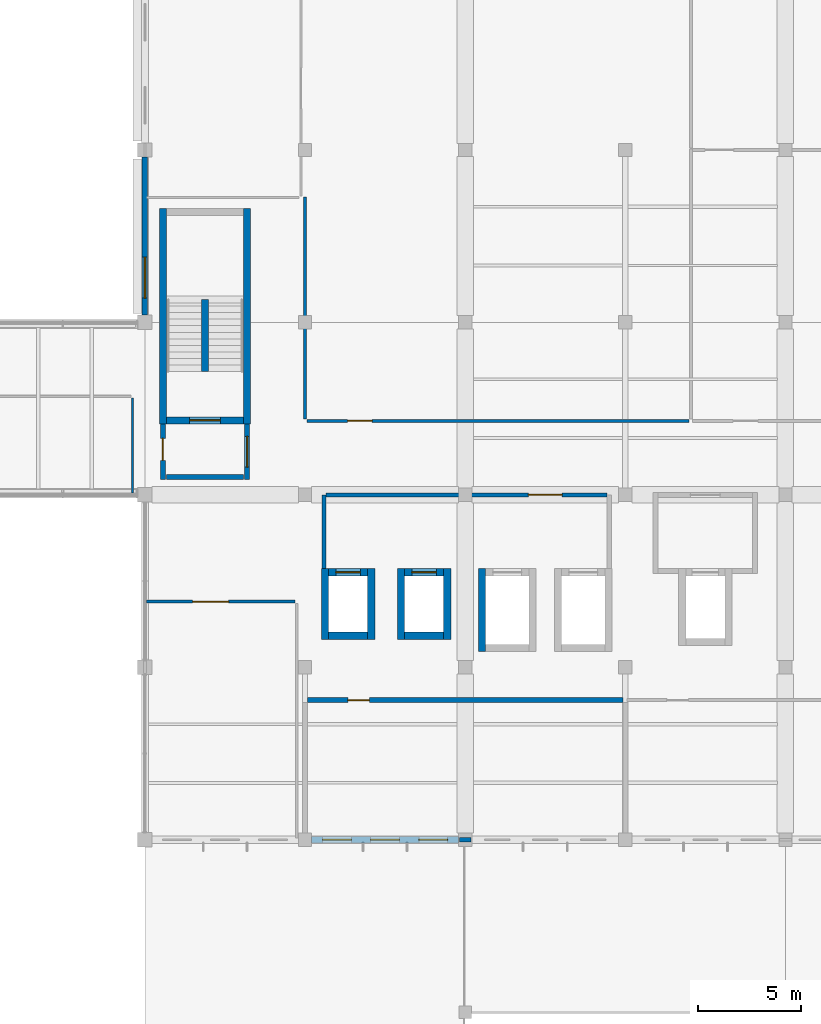
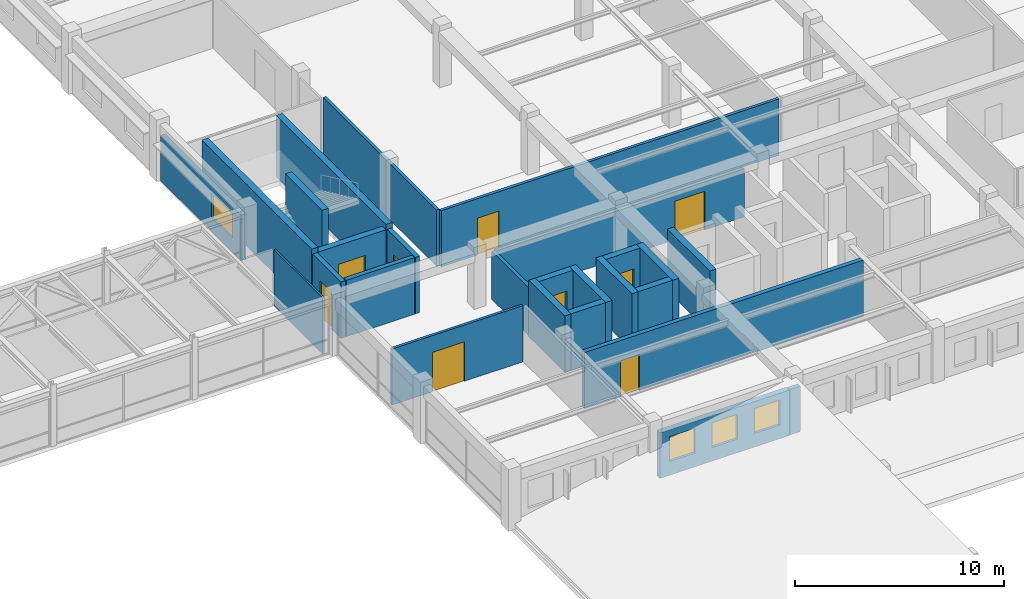
# One storey, part 40 of 49: 26 walls, 9 doors, 4 windows, 13 openings.
"""IFC4 building model written with IfcOpenShell, lengths in metres."""

from ifc_helpers import new_model, si_unit, direction, frame, frame_2d, origin, place, context, subcontext, project, spatial, rectangle, extrude, material, layer, layer_set, type_object, element, fill, save


model = new_model("IFC4")

# Units and contexts
model_context = context("Model", 3, precision=1e-05, world=origin(), true_north=direction((0.0, 1.0)))
body_context = subcontext(model_context, "Body", "Model", "MODEL_VIEW")
ifc_project = project(units=[si_unit("LENGTHUNIT", "METRE"), si_unit("AREAUNIT", "SQUARE_METRE"), si_unit("VOLUMEUNIT", "CUBIC_METRE"), si_unit("PLANEANGLEUNIT", "RADIAN"), si_unit("MASSUNIT", "GRAM", prefix="KILO"), si_unit("THERMODYNAMICTEMPERATUREUNIT", "KELVIN"), si_unit("POWERUNIT", "WATT")], contexts=[model_context])

# Site, building, storey
site_placement = place(None, origin())
site = spatial("IfcSite", under=ifc_project, at=site_placement, CompositionType="ELEMENT")
building_placement = place(site_placement, origin())
building = spatial("IfcBuilding", under=site, at=building_placement, Name="Srebrne Nadtorze General Hospital", CompositionType="ELEMENT")
storey_placement = place(building_placement, frame((0.0, 0.0, 26.10009765625)))
storey = spatial("IfcBuildingStorey", under=building, at=storey_placement, Name="L06", CompositionType="ELEMENT", Elevation=26.10009765625)

# Wall, opening, door
ifc_material_1 = material(Name="Gypsum Healthcare Partition")
ifc_layer_1 = layer(ifc_material_1, 0.139892578125)
ifc_layer_set_1 = layer_set([ifc_layer_1], Name="Gypsum Healthcare Partition")
wall_type_1 = type_object("IfcWallType", Name="Clinical partition 140", PredefinedType="PARTITIONING", material=ifc_layer_set_1)
wall_1_placement = place(storey_placement, frame((101.485107421875, 45.199951171875, 0.0), z_axis=(0.0, 0.0, 1.0), x_axis=(1.0, 0.0, 0.0)))
wall_1 = element("IfcWall", 1, at=wall_1_placement, inside=storey, type_object=wall_type_1, Name="Speech and Swallowing Therapy Clinic wall WL-INT-L06-2204", PredefinedType="PARTITIONING", context=body_context, shape_type="SweptSolid", body=[
    extrude(rectangle(XDim=7.22998046875, YDim=0.139892578125, at=frame_2d((3.614990234375, 0.0))), origin(), (0.0, 0.0, 1.0), 3.27978515625),
])
opening_1_placement = place(wall_1_placement, frame((2.241943359375, 0.0, 0.0)))
opening_1 = element("IfcOpeningElement", 2, at=opening_1_placement, cuts=wall_1, Name="Opening D-L06-0476", PredefinedType="OPENING", context=body_context, shape_type="SweptSolid", body=[
    extrude(rectangle(XDim=1.75, YDim=2.300048828125, at=frame_2d((0.875, 1.14990234375))), frame((0.0, 0.08203125, 0.0), z_axis=(0.0, -1.0, 0.0), x_axis=(1.0, 0.0, 0.0)), (0.0, 0.0, 1.0), 0.163818359375),
])
ifc_material_2 = material(Name="Anodised Aluminium", Category="aluminium")
door_type_1 = type_object("IfcDoorType", Name="Double leaf door 1750x2300", OperationType="DOUBLE_DOOR_SINGLE_SWING", PredefinedType="DOOR", material=ifc_material_2)
door_1_placement = place(opening_1_placement, frame((1.75, 0.0, 0.0), z_axis=(0.0, 0.0, 1.0), x_axis=(-1.0, 0.0, 0.0)))
door_1 = element("IfcDoor", 3, at=door_1_placement, inside=storey, type_object=door_type_1, Name="Speech and Swallowing Therapy Clinic door D-L06-0476", OperationType="DOUBLE_DOOR_SINGLE_SWING", OverallHeight=2.300048828125, OverallWidth=1.75, PredefinedType="DOOR", context=body_context, shape_type="SweptSolid", body=[
    extrude(rectangle(XDim=1.75, YDim=2.300048828125, at=frame_2d((0.875, 1.14990234375))), frame((0.0, 0.02490234375, 0.0), z_axis=(0.0, -1.0, 0.0), x_axis=(1.0, 0.0, 0.0)), (0.0, 0.0, 1.0), 0.050048828125),
])
fill(opening_1, door_1)

ifc_material_3 = material(Name="Gypsum Healthcare Partition")
ifc_layer_2 = layer(ifc_material_3, 0.159912109375)
ifc_layer_set_2 = layer_set([ifc_layer_2], Name="Gypsum Healthcare Partition")
wall_type_2 = type_object("IfcWallType", Name="Clinical partition 160", PredefinedType="PARTITIONING", material=ifc_layer_set_2)
wall_2_placement = place(storey_placement, frame((109.284912109375, 54.0, 0.0), z_axis=(0.0, 0.0, 1.0), x_axis=(1.0, 0.0, 0.0)))
wall_2 = element("IfcWall", 4, at=wall_2_placement, inside=storey, type_object=wall_type_2, Name="Physiotherapy Kinesiotherapy Gymnasium wall WL-INT-L06-2220", PredefinedType="PARTITIONING", context=body_context, shape_type="SweptSolid", body=[
    extrude(rectangle(XDim=18.630126953125, YDim=0.159912109375, at=frame_2d((9.31494140625, 0.0))), origin(), (0.0, 0.0, 1.0), 3.27978515625),
])
opening_2_placement = place(wall_2_placement, frame((1.98779296875, 0.0, 0.0)))
opening_2 = element("IfcOpeningElement", 5, at=opening_2_placement, cuts=wall_2, Name="Opening D-L06-0481", PredefinedType="OPENING", context=body_context, shape_type="SweptSolid", body=[
    extrude(rectangle(XDim=1.199951171875, YDim=2.14990234375, at=frame_2d((0.60009765625, 1.074951171875))), frame((0.0, 0.091796875, 0.0), z_axis=(0.0, -1.0, 0.0), x_axis=(1.0, 0.0, 0.0)), (0.0, 0.0, 1.0), 0.183837890625),
])
ifc_material_4 = material(Name="Anodised Aluminium", Category="aluminium")
door_type_2 = type_object("IfcDoorType", Name="Single leaf door 1200x2150", OperationType="NOTDEFINED", PredefinedType="DOOR", material=ifc_material_4)
door_2_placement = place(opening_2_placement, origin())
door_2 = element("IfcDoor", 6, at=door_2_placement, inside=storey, type_object=door_type_2, Name="Physiotherapy Kinesiotherapy Gymnasium door D-L06-0481", OperationType="SINGLE_SWING_LEFT", OverallHeight=2.14990234375, OverallWidth=1.199951171875, PredefinedType="DOOR", context=body_context, shape_type="SweptSolid", body=[
    extrude(rectangle(XDim=1.199951171875, YDim=2.14990234375, at=frame_2d((0.60009765625, 1.074951171875))), frame((0.0, 0.02490234375, 0.0), z_axis=(0.0, -1.0, 0.0), x_axis=(1.0, 0.0, 0.0)), (0.0, 0.0, 1.0), 0.050048828125),
])
fill(opening_2, door_2)

# Walls
wall_3_placement = place(storey_placement, frame((109.199951171875, 54.0849609375, 0.0), z_axis=(0.0, 0.0, 1.0), x_axis=(0.0, 1.0, 0.0)))
element("IfcWall", 7, at=wall_3_placement, inside=storey, type_object=wall_type_2, Name="Physiotherapy Kinesiotherapy Gymnasium wall WL-INT-L06-2222", PredefinedType="PARTITIONING", context=body_context, shape_type="SweptSolid", body=[
    extrude(rectangle(XDim=10.8349609375, YDim=0.159912109375, at=frame_2d((5.41748046875, 0.0))), origin(), (0.0, 0.0, 1.0), 3.27978515625),
])
ifc_material_5 = material(Name="Gypsum Healthcare Partition")
ifc_layer_3 = layer(ifc_material_5, 0.199951171875)
ifc_layer_set_3 = layer_set([ifc_layer_3], Name="Gypsum Healthcare Partition")
wall_type_3 = type_object("IfcWallType", Name="Compartment wall 200", PredefinedType="STANDARD", material=ifc_layer_set_3)
wall_4_placement = place(storey_placement, frame((110.1298828125, 46.81005859375, 0.0), z_axis=(0.0, 0.0, 1.0), x_axis=(0.0, 1.0, 0.0)))
element("IfcWall", 8, at=wall_4_placement, inside=storey, type_object=wall_type_3, Name="Lift lobby side wall WL-INT-L06-1135", PredefinedType="STANDARD", context=body_context, shape_type="SweptSolid", body=[
    extrude(rectangle(XDim=3.58984375, YDim=0.199951171875, at=frame_2d((1.794921875, 0.0))), origin(), (0.0, 0.0, 1.0), 2.7998046875),
])

# Wall, opening, door
wall_5_placement = place(storey_placement, frame((110.22998046875, 50.39990234375, 0.0), z_axis=(0.0, 0.0, 1.0), x_axis=(1.0, 0.0, 0.0)))
wall_5 = element("IfcWall", 9, at=wall_5_placement, inside=storey, type_object=wall_type_3, Name="Lift lobby corridor wall WL-INT-L06-1137", PredefinedType="STANDARD", context=body_context, shape_type="SweptSolid", body=[
    extrude(rectangle(XDim=13.68994140625, YDim=0.199951171875, at=frame_2d((6.844970703125, 0.0))), origin(), (0.0, 0.0, 1.0), 2.7998046875),
])
opening_3_placement = place(wall_5_placement, frame((9.844970703125, 0.0, 0.0)))
opening_3 = element("IfcOpeningElement", 10, at=opening_3_placement, cuts=wall_5, Name="Opening D-L06-0156", PredefinedType="OPENING", context=body_context, shape_type="SweptSolid", body=[
    extrude(rectangle(XDim=1.64990234375, YDim=2.25, at=frame_2d((0.824951171875, 1.125))), frame((0.0, 0.11181640625, 0.0), z_axis=(0.0, -1.0, 0.0), x_axis=(1.0, 0.0, 0.0)), (0.0, 0.0, 1.0), 0.223876953125),
])
ifc_material_6 = material(Name="Anodised Aluminium", Category="aluminium")
door_type_3 = type_object("IfcDoorType", Name="Double leaf door 1650x2250", OperationType="DOUBLE_DOOR_SINGLE_SWING", PredefinedType="DOOR", material=ifc_material_6)
door_3_placement = place(opening_3_placement, origin())
door_3 = element("IfcDoor", 11, at=door_3_placement, inside=storey, type_object=door_type_3, Name="Lift lobby corridor door D-L06-0156", OperationType="DOUBLE_DOOR_SINGLE_SWING", OverallHeight=2.25, OverallWidth=1.64990234375, PredefinedType="DOOR", context=body_context, shape_type="SweptSolid", body=[
    extrude(rectangle(XDim=1.64990234375, YDim=2.25, at=frame_2d((0.824951171875, 1.125))), frame((0.0, 0.02490234375, 0.0), z_axis=(0.0, -1.0, 0.0), x_axis=(1.0, 0.0, 0.0)), (0.0, 0.0, 1.0), 0.050048828125),
])
fill(opening_3, door_3)

ifc_material_7 = material(Name="Gypsum Healthcare Partition")
ifc_layer_4 = layer(ifc_material_7, 0.239990234375)
ifc_layer_set_4 = layer_set([ifc_layer_4], Name="Gypsum Healthcare Partition")
wall_type_4 = type_object("IfcWallType", Name="Corridor fire wall 240", PredefinedType="STANDARD", material=ifc_layer_set_4)
wall_6_placement = place(storey_placement, frame((102.27490234375, 51.155029296875, 0.0), z_axis=(0.0, 0.0, 1.0), x_axis=(0.0, 1.0, 0.0)))
wall_6 = element("IfcWall", 12, at=wall_6_placement, inside=storey, type_object=wall_type_4, Name="Fire lobby wall ST-03 WL-INT-L06-0397", PredefinedType="STANDARD", context=body_context, shape_type="SweptSolid", body=[
    extrude(rectangle(XDim=2.695068359375, YDim=0.239990234375, at=frame_2d((1.34765625, 0.0))), origin(), (0.0, 0.0, 1.0), 3.2998046875),
])
opening_4_placement = place(wall_6_placement, frame((0.919921875, 0.0, 0.0)))
opening_4 = element("IfcOpeningElement", 13, at=opening_4_placement, cuts=wall_6, Name="Opening D-L06-0604", PredefinedType="OPENING", context=body_context, shape_type="SweptSolid", body=[
    extrude(rectangle(XDim=1.080078125, YDim=2.14990234375, at=frame_2d((0.5400390625, 1.074951171875))), frame((0.0, 0.1318359375, 0.0), z_axis=(0.0, -1.0, 0.0), x_axis=(1.0, 0.0, 0.0)), (0.0, 0.0, 1.0), 0.263916015625),
])
ifc_material_8 = material(Name="Anodised Aluminium", Category="aluminium")
door_type_4 = type_object("IfcDoorType", Name="Single leaf door 1080x2150", OperationType="NOTDEFINED", PredefinedType="DOOR", material=ifc_material_8)
door_4_placement = place(opening_4_placement, frame((1.080078125, 0.0, 0.0), z_axis=(0.0, 0.0, 1.0), x_axis=(-1.0, 0.0, 0.0)))
door_4 = element("IfcDoor", 14, at=door_4_placement, inside=storey, type_object=door_type_4, Name="Fire Lobby link door D-L06-0604", OperationType="SINGLE_SWING_LEFT", OverallHeight=2.14990234375, OverallWidth=1.080078125, PredefinedType="DOOR", context=body_context, shape_type="SweptSolid", body=[
    extrude(rectangle(XDim=1.080078125, YDim=2.14990234375, at=frame_2d((0.5400390625, 1.074951171875))), frame((0.0, 0.02490234375, 0.0), z_axis=(0.0, -1.0, 0.0), x_axis=(1.0, 0.0, 0.0)), (0.0, 0.0, 1.0), 0.050048828125),
])
fill(opening_4, door_4)

wall_7_placement = place(storey_placement, frame((106.375, 51.155029296875, 0.0), z_axis=(0.0, 0.0, 1.0), x_axis=(0.0, 1.0, 0.0)))
wall_7 = element("IfcWall", 15, at=wall_7_placement, inside=storey, type_object=wall_type_4, Name="Fire lobby wall ST-03 WL-INT-L06-0398", PredefinedType="STANDARD", context=body_context, shape_type="SweptSolid", body=[
    extrude(rectangle(XDim=2.695068359375, YDim=0.239990234375, at=frame_2d((1.34765625, 0.0))), origin(), (0.0, 0.0, 1.0), 3.2998046875),
])
opening_5_placement = place(wall_7_placement, frame((0.597412109375, 0.0, 0.0)))
opening_5 = element("IfcOpeningElement", 16, at=opening_5_placement, cuts=wall_7, Name="Opening D-L06-0100", PredefinedType="OPENING", context=body_context, shape_type="SweptSolid", body=[
    extrude(rectangle(XDim=1.5, YDim=2.199951171875, at=frame_2d((0.75, 1.10009765625))), frame((0.0, 0.1318359375, 0.0), z_axis=(0.0, -1.0, 0.0), x_axis=(1.0, 0.0, 0.0)), (0.0, 0.0, 1.0), 0.263916015625),
])
ifc_material_9 = material(Name="Anodised Aluminium", Category="aluminium")
door_type_5 = type_object("IfcDoorType", Name="Double leaf door 1500x2200", OperationType="DOUBLE_DOOR_SINGLE_SWING", PredefinedType="DOOR", material=ifc_material_9)
door_5_placement = place(opening_5_placement, origin())
door_5 = element("IfcDoor", 17, at=door_5_placement, inside=storey, type_object=door_type_5, Name="Fire lobby door ST-03 D-L06-0100", OperationType="DOUBLE_DOOR_SINGLE_SWING", OverallHeight=2.199951171875, OverallWidth=1.5, PredefinedType="DOOR", context=body_context, shape_type="SweptSolid", body=[
    extrude(rectangle(XDim=1.5, YDim=2.199951171875, at=frame_2d((0.75, 1.10009765625))), frame((0.0, 0.02490234375, 0.0), z_axis=(0.0, -1.0, 0.0), x_axis=(1.0, 0.0, 0.0)), (0.0, 0.0, 1.0), 0.050048828125),
])
fill(opening_5, door_5)

# Wall
wall_8_placement = place(storey_placement, frame((102.449951171875, 51.27490234375, 0.0), z_axis=(0.0, 0.0, 1.0), x_axis=(1.0, 0.0, 0.0)))
element("IfcWall", 18, at=wall_8_placement, inside=storey, type_object=wall_type_4, Name="Fire lobby entry wall ST-03 WL-INT-L06-0399", PredefinedType="STANDARD", context=body_context, shape_type="SweptSolid", body=[
    extrude(rectangle(XDim=3.75, YDim=0.239990234375, at=frame_2d((1.875, 0.0))), origin(), (0.0, 0.0, 1.0), 3.2998046875),
])

# Wall, opening, door
wall_9_placement = place(storey_placement, frame((109.31005859375, 40.39990234375, 0.0), z_axis=(0.0, 0.0, 1.0), x_axis=(1.0, 0.0, 0.0)))
wall_9 = element("IfcWall", 19, at=wall_9_placement, inside=storey, type_object=wall_type_4, Name="East Ward Interstitial Plant Room wall WL-INT-L06-2230", PredefinedType="STANDARD", context=body_context, shape_type="SweptSolid", body=[
    extrude(rectangle(XDim=15.3798828125, YDim=0.239990234375, at=frame_2d((7.68994140625, 0.0))), origin(), (0.0, 0.0, 1.0), 3.27978515625),
])
opening_6_placement = place(wall_9_placement, frame((1.978759765625, 0.0, 0.0)))
opening_6 = element("IfcOpeningElement", 20, at=opening_6_placement, cuts=wall_9, Name="Opening D-L06-0484", PredefinedType="OPENING", context=body_context, shape_type="SweptSolid", body=[
    extrude(rectangle(XDim=1.050048828125, YDim=2.10009765625, at=frame_2d((0.52490234375, 1.050048828125))), frame((0.0, 0.1318359375, 0.0), z_axis=(0.0, -1.0, 0.0), x_axis=(1.0, 0.0, 0.0)), (0.0, 0.0, 1.0), 0.263916015625),
])
ifc_material_10 = material(Name="Anodised Aluminium", Category="aluminium")
door_type_6 = type_object("IfcDoorType", Name="Single leaf door 1050x2100", OperationType="NOTDEFINED", PredefinedType="DOOR", material=ifc_material_10)
door_6_placement = place(opening_6_placement, frame((1.050048828125, 0.0, 0.0), z_axis=(0.0, 0.0, 1.0), x_axis=(-1.0, 0.0, 0.0)))
door_6 = element("IfcDoor", 21, at=door_6_placement, inside=storey, type_object=door_type_6, Name="East Ward Interstitial Plant Room door D-L06-0484", OperationType="SINGLE_SWING_RIGHT", OverallHeight=2.10009765625, OverallWidth=1.050048828125, PredefinedType="DOOR", context=body_context, shape_type="SweptSolid", body=[
    extrude(rectangle(XDim=1.050048828125, YDim=2.10009765625, at=frame_2d((0.52490234375, 1.050048828125))), frame((0.0, 0.02490234375, 0.0), z_axis=(0.0, -1.0, 0.0), x_axis=(1.0, 0.0, 0.0)), (0.0, 0.0, 1.0), 0.050048828125),
])
fill(opening_6, door_6)

# Wall
wall_10_placement = place(storey_placement, frame((116.715087890625, 33.60009765625, 0.0), z_axis=(0.0, 0.0, 1.0), x_axis=(1.0, 0.0, 0.0)))
element("IfcWall", 22, at=wall_10_placement, inside=storey, type_object=wall_type_4, Name="East Ward Interstitial Plant Room wall WL-INT-L06-2231", PredefinedType="STANDARD", context=body_context, shape_type="SweptSolid", body=[
    extrude(rectangle(XDim=0.56982421875, YDim=0.239990234375, at=frame_2d((0.284912109375, 0.0))), origin(), (0.0, 0.0, 1.0), 2.64990234375),
])

# Wall, openings, windows
ifc_material_11 = material(Name="Concrete C40/50 precast", Category="concrete")
ifc_layer_5 = layer(ifc_material_11, 0.300048828125)
ifc_layer_set_5 = layer_set([ifc_layer_5], Name="Concrete C40/50 precast")
wall_type_5 = type_object("IfcWallType", Name="Limestone precast wall 300", PredefinedType="STANDARD", material=ifc_layer_set_5)
wall_11_placement = place(storey_placement, frame((109.52490234375, 33.60009765625, 0.0), z_axis=(0.0, 0.0, 1.0), x_axis=(1.0, 0.0, 0.0)))
wall_11 = element("IfcWall", 23, at=wall_11_placement, inside=storey, type_object=wall_type_5, Name="Exterior wall WL-ENV-L06-0465", PredefinedType="STANDARD", context=body_context, shape_type="SweptSolid", body=[
    extrude(rectangle(XDim=7.150146484375, YDim=0.300048828125, at=frame_2d((3.5751953125, 0.0))), origin(), (0.0, 0.0, 1.0), 2.64990234375),
])
opening_7_placement = place(wall_11_placement, frame((0.534912109375, 0.0, 0.800048828125)))
opening_7 = element("IfcOpeningElement", 24, at=opening_7_placement, cuts=wall_11, Name="Opening WN-L06-0764", PredefinedType="OPENING", context=body_context, shape_type="SweptSolid", body=[
    extrude(rectangle(XDim=1.39990234375, YDim=1.449951171875, at=frame_2d((0.699951171875, 0.72509765625))), frame((0.0, 0.162109375, 0.0), z_axis=(0.0, -1.0, 0.0), x_axis=(1.0, 0.0, 0.0)), (0.0, 0.0, 1.0), 0.323974609375),
])
opening_8_placement = place(wall_11_placement, frame((2.875, 0.0, 0.800048828125)))
opening_8 = element("IfcOpeningElement", 25, at=opening_8_placement, cuts=wall_11, Name="Opening WN-L06-0765", PredefinedType="OPENING", context=body_context, shape_type="SweptSolid", body=[
    extrude(rectangle(XDim=1.39990234375, YDim=1.449951171875, at=frame_2d((0.699951171875, 0.72509765625))), frame((0.0, 0.162109375, 0.0), z_axis=(0.0, -1.0, 0.0), x_axis=(1.0, 0.0, 0.0)), (0.0, 0.0, 1.0), 0.323974609375),
])
opening_9_placement = place(wall_11_placement, frame((5.215087890625, 0.0, 0.800048828125)))
opening_9 = element("IfcOpeningElement", 26, at=opening_9_placement, cuts=wall_11, Name="Opening WN-L06-0766", PredefinedType="OPENING", context=body_context, shape_type="SweptSolid", body=[
    extrude(rectangle(XDim=1.39990234375, YDim=1.449951171875, at=frame_2d((0.699951171875, 0.72509765625))), frame((0.0, 0.162109375, 0.0), z_axis=(0.0, -1.0, 0.0), x_axis=(1.0, 0.0, 0.0)), (0.0, 0.0, 1.0), 0.323974609375),
])
ifc_material_12 = material(Name="Triple Low-E Glazing", Category="glass")
window_type_1 = type_object("IfcWindowType", Name="Punched clinical window 1400x1450", PartitioningType="SINGLE_PANEL", PredefinedType="WINDOW", material=ifc_material_12)
window_1_placement = place(opening_7_placement, origin())
window_1 = element("IfcWindow", 27, at=window_1_placement, inside=storey, type_object=window_type_1, Name="Clinical window WN-L06-0764", OverallHeight=1.449951171875, OverallWidth=1.39990234375, PartitioningType="SINGLE_PANEL", PredefinedType="WINDOW", context=body_context, shape_type="SweptSolid", body=[
    extrude(rectangle(XDim=1.39990234375, YDim=1.449951171875, at=frame_2d((0.699951171875, 0.72509765625))), frame((0.0, 0.030029296875, 0.0), z_axis=(0.0, -1.0, 0.0), x_axis=(1.0, 0.0, 0.0)), (0.0, 0.0, 1.0), 0.06005859375),
])
fill(opening_7, window_1)
window_2_placement = place(opening_8_placement, origin())
window_2 = element("IfcWindow", 28, at=window_2_placement, inside=storey, type_object=window_type_1, Name="Clinical window WN-L06-0765", OverallHeight=1.449951171875, OverallWidth=1.39990234375, PartitioningType="SINGLE_PANEL", PredefinedType="WINDOW", context=body_context, shape_type="SweptSolid", body=[
    extrude(rectangle(XDim=1.39990234375, YDim=1.449951171875, at=frame_2d((0.699951171875, 0.72509765625))), frame((0.0, 0.030029296875, 0.0), z_axis=(0.0, -1.0, 0.0), x_axis=(1.0, 0.0, 0.0)), (0.0, 0.0, 1.0), 0.06005859375),
])
fill(opening_8, window_2)
window_3_placement = place(opening_9_placement, origin())
window_3 = element("IfcWindow", 29, at=window_3_placement, inside=storey, type_object=window_type_1, Name="Clinical window WN-L06-0766", OverallHeight=1.449951171875, OverallWidth=1.39990234375, PartitioningType="SINGLE_PANEL", PredefinedType="WINDOW", context=body_context, shape_type="SweptSolid", body=[
    extrude(rectangle(XDim=1.39990234375, YDim=1.449951171875, at=frame_2d((0.699951171875, 0.72509765625))), frame((0.0, 0.030029296875, 0.0), z_axis=(0.0, -1.0, 0.0), x_axis=(1.0, 0.0, 0.0)), (0.0, 0.0, 1.0), 0.06005859375),
])
fill(opening_9, window_3)

# Walls
ifc_material_13 = material(Name="Gypsum Healthcare Partition")
ifc_layer_6 = layer(ifc_material_13, 0.10009765625)
ifc_layer_set_6 = layer_set([ifc_layer_6], Name="Gypsum Healthcare Partition")
wall_type_6 = type_object("IfcWallType", Name="Shaft lining wall 100", PredefinedType="PARTITIONING", material=ifc_layer_set_6)
wall_12_placement = place(storey_placement, frame((100.800048828125, 50.485107421875, 0.0), z_axis=(0.0, 0.0, 1.0), x_axis=(0.0, 1.0, 0.0)))
element("IfcWall", 30, at=wall_12_placement, inside=storey, type_object=wall_type_6, Name="Clinical Bioinformatics Collaboration Suite wall WL-INT-L06-2209", PredefinedType="PARTITIONING", context=body_context, shape_type="SweptSolid", body=[
    extrude(rectangle(XDim=4.6298828125, YDim=0.10009765625, at=frame_2d((2.31494140625, 0.0))), origin(), (0.0, 0.0, 1.0), 3.27978515625),
])
ifc_material_14 = material(Name="Concrete C40/50", Category="concrete")
ifc_layer_7 = layer(ifc_material_14, 0.35009765625)
ifc_layer_set_7 = layer_set([ifc_layer_7], Name="Concrete C40/50")
wall_type_7 = type_object("IfcWallType", Name="Shear core wall 350", PredefinedType="SHEAR", material=ifc_layer_set_7)
for number, where, z_axis, x_axis, name in (
    (31, (102.27490234375, 53.85009765625, 0.0), (0.0, 0.0, 1.0), (0.0, 1.0, 0.0), "Stair core wall ST-03 WL-INT-L06-0393"),
    (32, (106.375, 53.85009765625, 0.0), (0.0, 0.0, 1.0), (0.0, 1.0, 0.0), "Stair core wall ST-03 WL-INT-L06-0394"),
):
    element("IfcWall", number, at=place(storey_placement, frame(where, z_axis=z_axis, x_axis=x_axis)), inside=storey, type_object=wall_type_7, Name=name, PredefinedType="SHEAR", context=body_context, shape_type="SweptSolid", body=[
        extrude(rectangle(XDim=10.5, YDim=0.35009765625, at=frame_2d((5.25, 0.0))), origin(), (0.0, 0.0, 1.0), 3.599853515625),
    ])

# Wall, opening, door
wall_13_placement = place(storey_placement, frame((102.449951171875, 54.02490234375, 0.0), z_axis=(0.0, 0.0, 1.0), x_axis=(1.0, 0.0, 0.0)))
wall_13 = element("IfcWall", 33, at=wall_13_placement, inside=storey, type_object=wall_type_7, Name="Stairwell fire wall ST-03 WL-INT-L06-0396", PredefinedType="SHEAR", context=body_context, shape_type="SweptSolid", body=[
    extrude(rectangle(XDim=3.75, YDim=0.35009765625, at=frame_2d((1.875, 0.0))), origin(), (0.0, 0.0, 1.0), 3.2998046875),
])
opening_10_placement = place(wall_13_placement, frame((1.125, 0.0, 0.0)))
opening_10 = element("IfcOpeningElement", 34, at=opening_10_placement, cuts=wall_13, Name="Opening D-L06-0099", PredefinedType="OPENING", context=body_context, shape_type="SweptSolid", body=[
    extrude(rectangle(XDim=1.5, YDim=2.199951171875, at=frame_2d((0.75, 1.10009765625))), frame((0.0, 0.18701171875, 0.0), z_axis=(0.0, -1.0, 0.0), x_axis=(1.0, 0.0, 0.0)), (0.0, 0.0, 1.0), 0.3740234375),
])
door_7_placement = place(opening_10_placement, origin())
door_7 = element("IfcDoor", 35, at=door_7_placement, inside=storey, type_object=door_type_5, Name="Protected stair door ST-03 D-L06-0099", OperationType="DOUBLE_DOOR_SINGLE_SWING", OverallHeight=2.199951171875, OverallWidth=1.5, PredefinedType="DOOR", context=body_context, shape_type="SweptSolid", body=[
    extrude(rectangle(XDim=1.5, YDim=2.199951171875, at=frame_2d((0.75, 1.10009765625))), frame((0.0, 0.02490234375, 0.0), z_axis=(0.0, -1.0, 0.0), x_axis=(1.0, 0.0, 0.0)), (0.0, 0.0, 1.0), 0.050048828125),
])
fill(opening_10, door_7)

# Walls
wall_14_placement = place(storey_placement, frame((104.324951171875, 56.39990234375, 0.0), z_axis=(0.0, 0.0, 1.0), x_axis=(0.0, 1.0, 0.0)))
element("IfcWall", 36, at=wall_14_placement, inside=storey, type_object=wall_type_7, Name="Stair spine wall ST-03 WL-INT-L06-0400", PredefinedType="SHEAR", context=body_context, shape_type="SweptSolid", body=[
    extrude(rectangle(XDim=3.52001953125, YDim=0.35009765625, at=frame_2d((1.760009765625, 0.0))), origin(), (0.0, 0.0, 1.0), 3.599853515625),
])
for number, where, z_axis, x_axis, name in (
    (37, (110.175048828125, 43.360107421875, 0.0), (0.0, 0.0, 1.0), (0.0, 1.0, 0.0), "Lift shaft wall LP-03 WL-INT-L06-0726"),
    (38, (112.425048828125, 43.360107421875, 0.0), (0.0, 0.0, 1.0), (0.0, 1.0, 0.0), "Lift shaft wall LP-03 WL-INT-L06-0727"),
):
    element("IfcWall", number, at=place(storey_placement, frame(where, z_axis=z_axis, x_axis=x_axis)), inside=storey, type_object=wall_type_7, Name=name, PredefinedType="SHEAR", context=body_context, shape_type="SweptSolid", body=[
        extrude(rectangle(XDim=3.449951171875, YDim=0.35009765625, at=frame_2d((1.72509765625, 0.0))), origin(), (0.0, 0.0, 1.0), 3.2998046875),
    ])
wall_15_placement = place(storey_placement, frame((110.35009765625, 43.534912109375, 0.0), z_axis=(0.0, 0.0, 1.0), x_axis=(1.0, 0.0, 0.0)))
element("IfcWall", 39, at=wall_15_placement, inside=storey, type_object=wall_type_7, Name="Lift shaft back wall LP-03 WL-INT-L06-0728", PredefinedType="SHEAR", context=body_context, shape_type="SweptSolid", body=[
    extrude(rectangle(XDim=1.89990234375, YDim=0.35009765625, at=frame_2d((0.949951171875, 0.0))), origin(), (0.0, 0.0, 1.0), 3.2998046875),
])

# Wall, opening, door
wall_16_placement = place(storey_placement, frame((110.35009765625, 46.635009765625, 0.0), z_axis=(0.0, 0.0, 1.0), x_axis=(1.0, 0.0, 0.0)))
wall_16 = element("IfcWall", 40, at=wall_16_placement, inside=storey, type_object=wall_type_7, Name="Lift shaft front wall LP-03 WL-INT-L06-0729", PredefinedType="SHEAR", context=body_context, shape_type="SweptSolid", body=[
    extrude(rectangle(XDim=1.89990234375, YDim=0.35009765625, at=frame_2d((0.949951171875, 0.0))), origin(), (0.0, 0.0, 1.0), 3.2998046875),
])
opening_11_placement = place(wall_16_placement, frame((0.35009765625, 0.0, 0.0)))
opening_11 = element("IfcOpeningElement", 41, at=opening_11_placement, cuts=wall_16, Name="Opening LD-L06-066", PredefinedType="OPENING", context=body_context, shape_type="SweptSolid", body=[
    extrude(rectangle(XDim=1.199951171875, YDim=2.199951171875, at=frame_2d((0.60009765625, 1.10009765625))), frame((0.0, 0.18701171875, 0.0), z_axis=(0.0, -1.0, 0.0), x_axis=(1.0, 0.0, 0.0)), (0.0, 0.0, 1.0), 0.3740234375),
])
ifc_material_15 = material(Name="Anodised Aluminium", Category="aluminium")
door_type_7 = type_object("IfcDoorType", Name="Sliding lift door 1200x2200", OperationType="SLIDING_TO_LEFT", PredefinedType="DOOR", material=ifc_material_15)
door_8_placement = place(opening_11_placement, origin())
door_8 = element("IfcDoor", 42, at=door_8_placement, inside=storey, type_object=door_type_7, Name="Lift Landing Door LD-L06-066", OperationType="SLIDING_TO_LEFT", OverallHeight=2.199951171875, OverallWidth=1.199951171875, PredefinedType="DOOR", context=body_context, shape_type="SweptSolid", body=[
    extrude(rectangle(XDim=1.199951171875, YDim=2.199951171875, at=frame_2d((0.60009765625, 1.10009765625))), frame((0.0, 0.02490234375, 0.0), z_axis=(0.0, -1.0, 0.0), x_axis=(1.0, 0.0, 0.0)), (0.0, 0.0, 1.0), 0.050048828125),
])
fill(opening_11, door_8)

# Walls
for number, where, z_axis, x_axis, name in (
    (43, (113.875, 43.360107421875, 0.0), (0.0, 0.0, 1.0), (0.0, 1.0, 0.0), "Lift shaft wall LP-04 WL-INT-L06-0758"),
    (44, (116.125, 43.360107421875, 0.0), (0.0, 0.0, 1.0), (0.0, 1.0, 0.0), "Lift shaft wall LP-04 WL-INT-L06-0759"),
):
    element("IfcWall", number, at=place(storey_placement, frame(where, z_axis=z_axis, x_axis=x_axis)), inside=storey, type_object=wall_type_7, Name=name, PredefinedType="SHEAR", context=body_context, shape_type="SweptSolid", body=[
        extrude(rectangle(XDim=3.449951171875, YDim=0.35009765625, at=frame_2d((1.72509765625, 0.0))), origin(), (0.0, 0.0, 1.0), 3.2998046875),
    ])
wall_17_placement = place(storey_placement, frame((114.050048828125, 43.534912109375, 0.0), z_axis=(0.0, 0.0, 1.0), x_axis=(1.0, 0.0, 0.0)))
element("IfcWall", 45, at=wall_17_placement, inside=storey, type_object=wall_type_7, Name="Lift shaft back wall LP-04 WL-INT-L06-0760", PredefinedType="SHEAR", context=body_context, shape_type="SweptSolid", body=[
    extrude(rectangle(XDim=1.89990234375, YDim=0.35009765625, at=frame_2d((0.949951171875, 0.0))), origin(), (0.0, 0.0, 1.0), 3.2998046875),
])

# Wall, opening, door
wall_18_placement = place(storey_placement, frame((114.050048828125, 46.635009765625, 0.0), z_axis=(0.0, 0.0, 1.0), x_axis=(1.0, 0.0, 0.0)))
wall_18 = element("IfcWall", 46, at=wall_18_placement, inside=storey, type_object=wall_type_7, Name="Lift shaft front wall LP-04 WL-INT-L06-0761", PredefinedType="SHEAR", context=body_context, shape_type="SweptSolid", body=[
    extrude(rectangle(XDim=1.89990234375, YDim=0.35009765625, at=frame_2d((0.949951171875, 0.0))), origin(), (0.0, 0.0, 1.0), 3.2998046875),
])
opening_12_placement = place(wall_18_placement, frame((0.35009765625, 0.0, 0.0)))
opening_12 = element("IfcOpeningElement", 47, at=opening_12_placement, cuts=wall_18, Name="Opening LD-L06-074", PredefinedType="OPENING", context=body_context, shape_type="SweptSolid", body=[
    extrude(rectangle(XDim=1.199951171875, YDim=2.199951171875, at=frame_2d((0.60009765625, 1.10009765625))), frame((0.0, 0.18701171875, 0.0), z_axis=(0.0, -1.0, 0.0), x_axis=(1.0, 0.0, 0.0)), (0.0, 0.0, 1.0), 0.3740234375),
])
door_9_placement = place(opening_12_placement, origin())
door_9 = element("IfcDoor", 48, at=door_9_placement, inside=storey, type_object=door_type_7, Name="Lift Landing Door LD-L06-074", OperationType="SLIDING_TO_LEFT", OverallHeight=2.199951171875, OverallWidth=1.199951171875, PredefinedType="DOOR", context=body_context, shape_type="SweptSolid", body=[
    extrude(rectangle(XDim=1.199951171875, YDim=2.199951171875, at=frame_2d((0.60009765625, 1.10009765625))), frame((0.0, 0.02490234375, 0.0), z_axis=(0.0, -1.0, 0.0), x_axis=(1.0, 0.0, 0.0)), (0.0, 0.0, 1.0), 0.050048828125),
])
fill(opening_12, door_9)

# Wall
wall_19_placement = place(storey_placement, frame((117.824951171875, 42.760009765625, 0.0), z_axis=(0.0, 0.0, 1.0), x_axis=(0.0, 1.0, 0.0)))
element("IfcWall", 49, at=wall_19_placement, inside=storey, type_object=wall_type_7, Name="Lift shaft wall LS-03 WL-INT-L06-0790", PredefinedType="SHEAR", context=body_context, shape_type="SweptSolid", body=[
    extrude(rectangle(XDim=4.050048828125, YDim=0.35009765625, at=frame_2d((2.02490234375, 0.0))), origin(), (0.0, 0.0, 1.0), 3.599853515625),
])

# Wall, opening, window
ifc_material_16 = material(Name="Concrete C35/45 precast", Category="concrete")
ifc_layer_8 = layer(ifc_material_16, 0.260009765625)
ifc_layer_set_8 = layer_set([ifc_layer_8], Name="Concrete C35/45 precast")
wall_type_8 = type_object("IfcWallType", Name="Spandrel wall 260", PredefinedType="STANDARD", material=ifc_layer_set_8)
wall_20_placement = place(storey_placement, frame((101.39990234375, 59.14990234375, 0.0), z_axis=(0.0, 0.0, 1.0), x_axis=(0.0, 1.0, 0.0)))
wall_20 = element("IfcWall", 50, at=wall_20_placement, inside=storey, type_object=wall_type_8, Name="Exterior wall WL-ENV-L06-0495", PredefinedType="STANDARD", context=body_context, shape_type="SweptSolid", body=[
    extrude(rectangle(XDim=7.7001953125, YDim=0.260009765625, at=frame_2d((3.85009765625, 0.0))), origin(), (0.0, 0.0, 1.0), 2.64990234375),
])
opening_13_placement = place(wall_20_placement, frame((0.833984375, 0.0, 0.800048828125)))
opening_13 = element("IfcOpeningElement", 51, at=opening_13_placement, cuts=wall_20, Name="Opening WN-L06-0821", PredefinedType="OPENING", context=body_context, shape_type="SweptSolid", body=[
    extrude(rectangle(XDim=2.0, YDim=1.449951171875, at=frame_2d((1.0, 0.72509765625))), frame((0.0, 0.14208984375, 0.0), z_axis=(0.0, -1.0, 0.0), x_axis=(1.0, 0.0, 0.0)), (0.0, 0.0, 1.0), 0.283935546875),
])
ifc_material_17 = material(Name="Triple Low-E Glazing", Category="glass")
window_type_2 = type_object("IfcWindowType", Name="Punched clinical window 2000x1450", PartitioningType="DOUBLE_PANEL_VERTICAL", PredefinedType="WINDOW", material=ifc_material_17)
window_4_placement = place(opening_13_placement, origin())
window_4 = element("IfcWindow", 52, at=window_4_placement, inside=storey, type_object=window_type_2, Name="Clinical window WN-L06-0821", OverallHeight=1.449951171875, OverallWidth=2.0, PartitioningType="DOUBLE_PANEL_VERTICAL", PredefinedType="WINDOW", context=body_context, shape_type="SweptSolid", body=[
    extrude(rectangle(XDim=2.0, YDim=1.449951171875, at=frame_2d((1.0, 0.72509765625))), frame((0.0, 0.030029296875, 0.0), z_axis=(0.0, -1.0, 0.0), x_axis=(1.0, 0.0, 0.0)), (0.0, 0.0, 1.0), 0.06005859375),
])
fill(opening_13, window_4)

save(model, "model.ifc")
